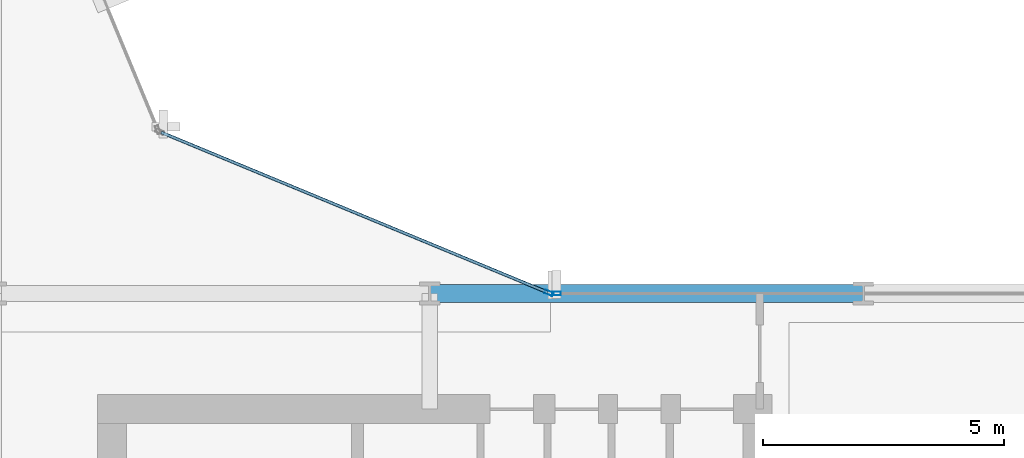
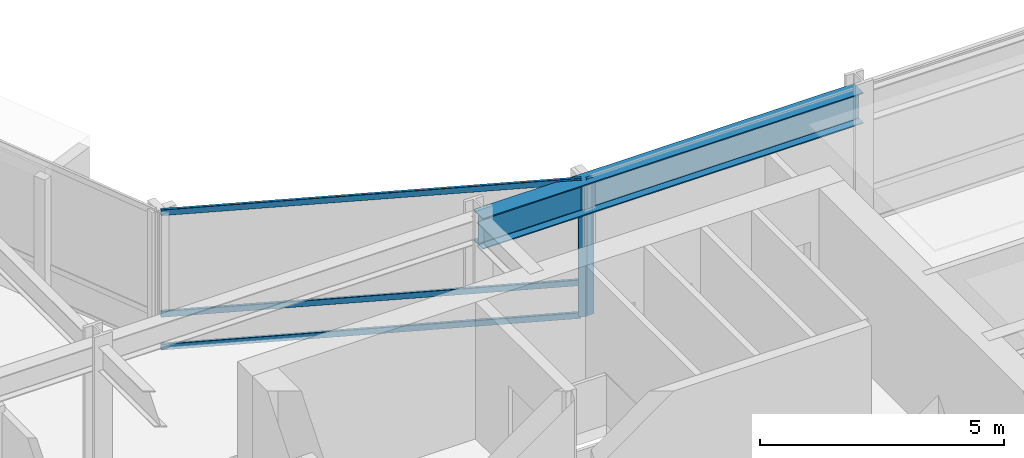
# One storey, part 15 of 34: 5 members, 1 beam, 2 elements without a shape of their own.
"""IFC4 building model written with IfcOpenShell, lengths in metres."""

import ifcopenshell
import ifcopenshell.guid

model = None  # the IFC model being written
_history = None  # IfcOwnerHistory: only IFC2X3 demands one
_inside = {}  # id of a spatial element -> (the spatial element, [elements in it])
_under = {}  # id of a project, library or spatial element -> (it, [spatial elements below it])
_declared = {}  # id of a project -> (the project, [libraries it declares])
_typed = {}  # id of a type object -> (the type object, [elements of that type])
_made_of = {}  # id of a material, layer set ... -> (it, [elements and type objects made of it])


def new_model(schema):
    """Start an empty IFC model of exactly this schema.

    Asked for "IFC4X3", IfcOpenShell would pick the latest addendum, in which some entities
    have other attributes; the version numbers below select the first issue.
    IFC2X3 requires an IfcOwnerHistory on every rooted entity: one is made here for all.
    """
    global model, _history
    if schema == "IFC4X3":
        model = ifcopenshell.file(schema_version=(4, 3, 0, 0))
    else:
        model = ifcopenshell.file(schema=schema)
    _inside.clear()
    _under.clear()
    _declared.clear()
    _typed.clear()
    _made_of.clear()
    _history = None
    if model.schema == "IFC2X3":
        org = make("IfcOrganization", Name="unknown")
        user = make(
            "IfcPersonAndOrganization",
            ThePerson=make("IfcPerson", FamilyName="unknown"),
            TheOrganization=org,
        )
        app = make(
            "IfcApplication",
            ApplicationDeveloper=org,
            Version="unknown",
            ApplicationFullName="unknown",
            ApplicationIdentifier="unknown",
        )
        _history = make(
            "IfcOwnerHistory",
            OwningUser=user,
            OwningApplication=app,
            ChangeAction="ADDED",
            CreationDate=0,
        )
    return model


def make(cls, **values):
    """One entity of the class cls with the attributes given. An attribute that is None is left unset."""
    return model.create_entity(
        cls, **{name: value for name, value in values.items() if value is not None}
    )


def rooted(cls, **values):
    """An entity with a GlobalId (a new one), such as an element, a storey or a relation."""
    return make(cls, GlobalId=ifcopenshell.guid.new(), OwnerHistory=_history, **values)


def si_unit(unit_type, name, prefix=None):
    """IfcSIUnit, for example si_unit("LENGTHUNIT", "METRE", prefix="MILLI")."""
    return make("IfcSIUnit", UnitType=unit_type, Prefix=prefix, Name=name)


def assignment(units):
    """IfcUnitAssignment: the units of a project."""
    return None if units is None else make("IfcUnitAssignment", Units=units)


def point(xyz):
    """IfcCartesianPoint."""
    return None if xyz is None else make("IfcCartesianPoint", Coordinates=xyz)


def direction(xyz):
    """IfcDirection."""
    return None if xyz is None else make("IfcDirection", DirectionRatios=xyz)


def frame(location, z_axis=None, x_axis=None):
    """IfcAxis2Placement3D, a coordinate frame: its origin and axes. An axis left out is left unset."""
    return make(
        "IfcAxis2Placement3D",
        Location=point(location),
        Axis=direction(z_axis),
        RefDirection=direction(x_axis),
    )


def frame_2d(location, x_axis=None):
    """IfcAxis2Placement2D, a coordinate frame in the plane: its origin and x axis."""
    return make(
        "IfcAxis2Placement2D", Location=point(location), RefDirection=direction(x_axis)
    )


def origin():
    """The frame at (0, 0, 0) with its axes left unset."""
    return frame((0.0, 0.0, 0.0))


def origin_2d():
    """The frame at (0, 0) in the plane with its x axis left unset."""
    return frame_2d((0.0, 0.0))


def place(relative_to, where):
    """IfcLocalPlacement: puts the frame where relative to a parent placement (None: the world)."""
    return make(
        "IfcLocalPlacement", PlacementRelTo=relative_to, RelativePlacement=where
    )


def context(
    kind, dimensions, precision=None, world=None, true_north=None, identifier=None
):
    """IfcGeometricRepresentationContext, for example the 3D "Model" context."""
    return make(
        "IfcGeometricRepresentationContext",
        ContextIdentifier=identifier,
        ContextType=kind,
        CoordinateSpaceDimension=dimensions,
        Precision=precision,
        WorldCoordinateSystem=world,
        TrueNorth=true_north,
    )


def subcontext(parent, identifier, kind, view, scale=None):
    """IfcGeometricRepresentationSubContext, for example "Body" below "Model"."""
    return make(
        "IfcGeometricRepresentationSubContext",
        ContextIdentifier=identifier,
        ContextType=kind,
        ParentContext=parent,
        TargetScale=scale,
        TargetView=view,
    )


def project(units=None, contexts=None):
    """IfcProject with its units and contexts."""
    return rooted(
        "IfcProject",
        Name="project",
        RepresentationContexts=contexts,
        UnitsInContext=assignment(units),
    )


def spatial(cls, under=None, at=None, **own):
    """A site, building, storey or space (cls), placed at a placement, below another one or the project."""
    s = rooted(cls, ObjectPlacement=at, **own)
    if under is not None:
        _under.setdefault(under.id(), (under, []))[1].append(s)
    return s


def profile(cls, at=None, kind="AREA", **sizes):
    """A parametric profile (cls). Its sizes go by their IFC names, for example OverallWidth=200.0."""
    return make(cls, ProfileType=kind, Position=at, **sizes)


def hollow_rectangle(**sizes):
    """IfcRectangleHollowProfileDef."""
    return profile("IfcRectangleHollowProfileDef", **sizes)


def i_section(**sizes):
    """IfcIShapeProfileDef."""
    return profile("IfcIShapeProfileDef", **sizes)


def extrude(swept, where, along, depth):
    """IfcExtrudedAreaSolid: the profile swept, set in the frame where, extruded along a direction by depth."""
    return make(
        "IfcExtrudedAreaSolid",
        SweptArea=swept,
        Position=where,
        ExtrudedDirection=direction(along),
        Depth=depth,
    )


def shape(context_of_items, identifier, shape_type, items):
    """IfcShapeRepresentation: the items that make up one representation, for example the "Body"."""
    return make(
        "IfcShapeRepresentation",
        ContextOfItems=context_of_items,
        RepresentationIdentifier=identifier,
        RepresentationType=shape_type,
        Items=items,
    )


def material(Name=None, Category=None):
    """IfcMaterial."""
    return make("IfcMaterial", Name=Name, Category=Category)


def layer(
    of_material, thickness, ventilated=None, Name=None, Category=None, Priority=None
):
    """IfcMaterialLayer: one layer of a wall or slab, of a material (None: an air gap)."""
    return make(
        "IfcMaterialLayer",
        Material=of_material,
        LayerThickness=thickness,
        IsVentilated=ventilated,
        Name=Name,
        Category=Category,
        Priority=Priority,
    )


def layer_set(layers, Name=None):
    """IfcMaterialLayerSet."""
    return make("IfcMaterialLayerSet", MaterialLayers=layers, LayerSetName=Name)


def material_profile(
    of_material, cross_section, Name=None, Category=None, Priority=None
):
    """IfcMaterialProfile: a cross section and its material."""
    return make(
        "IfcMaterialProfile",
        Name=Name,
        Material=of_material,
        Profile=cross_section,
        Priority=Priority,
        Category=Category,
    )


def profile_set(profiles, Name=None, composite=None):
    """IfcMaterialProfileSet."""
    return make(
        "IfcMaterialProfileSet",
        Name=Name,
        MaterialProfiles=profiles,
        CompositeProfile=composite,
    )


def made_of(thing, what):
    """Note that an element or type object is made of a material, layer set ...; save() writes the relation."""
    if what is not None:
        _made_of.setdefault(what.id(), (what, []))[1].append(thing)
    return thing


def type_object(cls, material=None, **own):
    """A type object (cls), such as IfcWallType, which elements share."""
    return made_of(rooted(cls, **own), material)


def element(
    cls,
    number,
    at=None,
    inside=None,
    cuts=None,
    type_object=None,
    material=None,
    context=None,
    identifier="Body",
    shape_type=None,
    held_by="IfcProductDefinitionShape",
    body=None,
    shapes=None,
    **own,
):
    """One element of the class cls, such as IfcWall. Its Tag is "e" and its number.

    at: its placement. inside: the storey or other place that contains it. cuts: it is an
    opening in that element (IfcRelVoidsElement). A single representation is given by context,
    identifier, shape_type and body (its items); several are given by shapes. held_by: the class
    of the entity that holds the representations. save() writes the other relations.
    """
    e = rooted(cls, Tag="e%d" % number, ObjectPlacement=at, **own)
    if body is not None:
        shapes = [shape(context, identifier, shape_type, body)]
    if shapes is not None:
        e.Representation = make(held_by, Representations=shapes)
    if inside is not None:
        _inside.setdefault(inside.id(), (inside, []))[1].append(e)
    if cuts is not None:
        rooted(
            "IfcRelVoidsElement", RelatingBuildingElement=cuts, RelatedOpeningElement=e
        )
    if type_object is not None:
        _typed.setdefault(type_object.id(), (type_object, []))[1].append(e)
    return made_of(e, material)


def aggregate(whole, parts):
    """IfcRelAggregates: a whole, such as a stair, and the parts it consists of."""
    return rooted("IfcRelAggregates", RelatingObject=whole, RelatedObjects=parts)


def save(model, path):
    """Write the relations noted so far, then the file.

    IfcRelAggregates (storeys below a building ...), IfcRelContainedInSpatialStructure (elements
    in a storey), IfcRelDefinesByType, IfcRelAssociatesMaterial and IfcRelDeclares: one each for
    every whole, place, type object, material and project.
    """
    for whole, parts in _under.values():
        aggregate(whole, parts)
    for where, things in _inside.values():
        rooted(
            "IfcRelContainedInSpatialStructure",
            RelatedElements=things,
            RelatingStructure=where,
        )
    for kind, things in _typed.values():
        rooted("IfcRelDefinesByType", RelatedObjects=things, RelatingType=kind)
    for what, things in _made_of.values():
        rooted("IfcRelAssociatesMaterial", RelatedObjects=things, RelatingMaterial=what)
    for by, libraries in _declared.values():
        rooted("IfcRelDeclares", RelatingContext=by, RelatedDefinitions=libraries)
    model.write(path)


model = new_model("IFC4")

# Units and contexts
model_context = context("Model", 3, precision=1e-05, world=origin(), true_north=direction((0.0, 1.0)))
body_context = subcontext(model_context, "Body", "Model", "MODEL_VIEW")
ifc_project = project(units=[si_unit("LENGTHUNIT", "METRE"), si_unit("AREAUNIT", "SQUARE_METRE"), si_unit("VOLUMEUNIT", "CUBIC_METRE"), si_unit("PLANEANGLEUNIT", "RADIAN"), si_unit("MASSUNIT", "GRAM", prefix="KILO")], contexts=[model_context])

# Site, building, storey
site_placement = place(None, origin())
site = spatial("IfcSite", under=ifc_project, at=site_placement, CompositionType="ELEMENT")
building_placement = place(site_placement, origin())
building = spatial("IfcBuilding", under=site, at=building_placement, Name="Solvaryn Broadcast Tower", CompositionType="ELEMENT")
storey_placement = place(building_placement, frame((0.0, 0.0, 73.0)))
storey = spatial("IfcBuildingStorey", under=building, at=storey_placement, Name="L17", CompositionType="ELEMENT", Elevation=73.0)

# Beam
ifc_material_1 = material(Name="Steel ASTM A992 Grade 50", Category="steel")
ifc_material_profile_1 = material_profile(ifc_material_1, i_section(OverallWidth=0.381103515625, OverallDepth=0.77294921875, WebThickness=0.0166015625, FlangeThickness=0.027099609375, FilletRadius=0.01806640625, at=origin_2d()))
ifc_profile_set_1 = profile_set([ifc_material_profile_1], Name="Steel ASTM A992 Grade 50")
beam_type = type_object("IfcBeamType", Name="BM-SP1-W30X173", PredefinedType="USERDEFINED", material=ifc_profile_set_1)
beam_placement = place(storey_placement, frame((36.0, 27.0, 3.033447265625), z_axis=(1.0, 0.0, 0.0), x_axis=(0.0, 1.0, 0.0)))
element("IfcBeam", 1, at=beam_placement, inside=storey, type_object=beam_type, Name="L17 Spandrel Beam X (36-45 @ Y=27)", ObjectType="SPANDREL", PredefinedType="USERDEFINED", context=body_context, shape_type="SweptSolid", body=[
    extrude(i_section(OverallWidth=0.381103515625, OverallDepth=0.77294921875, WebThickness=0.0166015625, FlangeThickness=0.027099609375, FilletRadius=0.01806640625, at=origin_2d()), origin(), (0.0, 0.0, 1.0), 9.0),
])

# Curtain wall, member
ifc_material_2 = material(Name="Aluminium and Terracotta Unitised Curtain Wall", Category="masonry")
ifc_layer = layer(ifc_material_2, 0.199951171875)
ifc_layer_set = layer_set([ifc_layer], Name="CW-SYS2-LOWMID")
curtain_wall_type = type_object("IfcCurtainWallType", Name="CW-SYS2-LOWMID", PredefinedType="NOTDEFINED", material=ifc_layer_set)
curtain_wall_1_placement = place(storey_placement, origin())
curtain_wall_1 = element("IfcCurtainWall", 2, at=curtain_wall_1_placement, inside=storey, type_object=curtain_wall_type, Name="L17 Curtain Wall CN1", PredefinedType="NOTDEFINED")
ifc_material_3 = material(Name="Anodised Aluminium 6063-T6", Category="aluminium")
ifc_material_profile_2 = material_profile(ifc_material_3, hollow_rectangle(XDim=0.074951171875, YDim=0.179931640625, WallThickness=0.00390625, InnerFilletRadius=0.00390625, OuterFilletRadius=0.008056640625, at=origin_2d()))
ifc_profile_set_2 = profile_set([ifc_material_profile_2], Name="Anodised Aluminium 6063-T6")
member_type_1 = type_object("IfcMemberType", Name="CW-MUL-180", PredefinedType="MULLION", material=ifc_profile_set_2)
member_1_placement = place(storey_placement, frame((38.47216796875, 27.011474609375, 0.0), z_axis=(0.0, 0.0, 1.0), x_axis=(-0.382646127145, -0.923894983957, 0.0)))
member_1 = element("IfcMember", 3, at=member_1_placement, type_object=member_type_1, Name="CWS2 mullion 1", PredefinedType="MULLION", context=body_context, shape_type="SweptSolid", body=[
    extrude(hollow_rectangle(XDim=0.074951171875, YDim=0.179931640625, WallThickness=0.00390625, InnerFilletRadius=0.00390625, OuterFilletRadius=0.008056640625, at=origin_2d()), origin(), (0.0, 0.0, 1.0), 3.419921875),
])

curtain_wall_2_placement = place(storey_placement, origin())
curtain_wall_2 = element("IfcCurtainWall", 4, at=curtain_wall_2_placement, inside=storey, type_object=curtain_wall_type, Name="L17 Curtain Wall IH", PredefinedType="NOTDEFINED")
member_2_placement = place(storey_placement, frame((38.6298828125, 27.0, 0.0), z_axis=(0.0, 0.0, 1.0), x_axis=(0.0, 1.0, 0.0)))
member_2 = element("IfcMember", 5, at=member_2_placement, type_object=member_type_1, Name="CWS2 mullion 1", PredefinedType="MULLION", context=body_context, shape_type="SweptSolid", body=[
    extrude(hollow_rectangle(XDim=0.074951171875, YDim=0.179931640625, WallThickness=0.00390625, InnerFilletRadius=0.00390625, OuterFilletRadius=0.008056640625, at=origin_2d()), origin(), (0.0, 0.0, 1.0), 3.419921875),
])
aggregate(curtain_wall_2, [member_2])

# Member
ifc_material_4 = material(Name="Anodised Aluminium 6063-T6", Category="aluminium")
ifc_material_profile_3 = material_profile(ifc_material_4, hollow_rectangle(XDim=0.06494140625, YDim=0.14990234375, WallThickness=0.00390625, InnerFilletRadius=0.00390625, OuterFilletRadius=0.008056640625, at=origin_2d()))
ifc_profile_set_3 = profile_set([ifc_material_profile_3], Name="Anodised Aluminium 6063-T6")
member_type_2 = type_object("IfcMemberType", Name="CW-TRN-150", PredefinedType="USERDEFINED", material=ifc_profile_set_3)
member_3_placement = place(storey_placement, frame((38.444580078125, 27.02294921875, 0.030029296875), z_axis=(-0.923899282177, 0.382635748975, 0.0), x_axis=(-0.382635748975, -0.923899282177, 0.0)))
member_3 = element("IfcMember", 6, at=member_3_placement, type_object=member_type_2, Name="CWS2 transom 1.1", ObjectType="TRANSOM", PredefinedType="USERDEFINED", context=body_context, shape_type="SweptSolid", body=[
    extrude(hollow_rectangle(XDim=0.06494140625, YDim=0.14990234375, WallThickness=0.00390625, InnerFilletRadius=0.00390625, OuterFilletRadius=0.008056640625, at=origin_2d()), origin(), (0.0, 0.0, 1.0), 8.681884765625),
])

member_4_placement = place(storey_placement, frame((38.444580078125, 27.02294921875, 0.85009765625), z_axis=(-0.923899282177, 0.382635748975, 0.0), x_axis=(-0.382635748975, -0.923899282177, 0.0)))
member_4 = element("IfcMember", 7, at=member_4_placement, type_object=member_type_2, Name="CWS2 transom 1.2", ObjectType="TRANSOM", PredefinedType="USERDEFINED", context=body_context, shape_type="SweptSolid", body=[
    extrude(hollow_rectangle(XDim=0.06494140625, YDim=0.14990234375, WallThickness=0.00390625, InnerFilletRadius=0.00390625, OuterFilletRadius=0.008056640625, at=origin_2d()), origin(), (0.0, 0.0, 1.0), 8.681884765625),
])

member_5_placement = place(storey_placement, frame((38.444580078125, 27.02294921875, 3.389892578125), z_axis=(-0.923899282177, 0.382635748975, 0.0), x_axis=(-0.382635748975, -0.923899282177, 0.0)))
member_5 = element("IfcMember", 8, at=member_5_placement, type_object=member_type_2, Name="CWS2 transom 1.3", ObjectType="TRANSOM", PredefinedType="USERDEFINED", context=body_context, shape_type="SweptSolid", body=[
    extrude(hollow_rectangle(XDim=0.06494140625, YDim=0.14990234375, WallThickness=0.00390625, InnerFilletRadius=0.00390625, OuterFilletRadius=0.008056640625, at=origin_2d()), origin(), (0.0, 0.0, 1.0), 8.681884765625),
])

aggregate(curtain_wall_1, [member_1, member_3, member_4, member_5])

save(model, "model.ifc")
